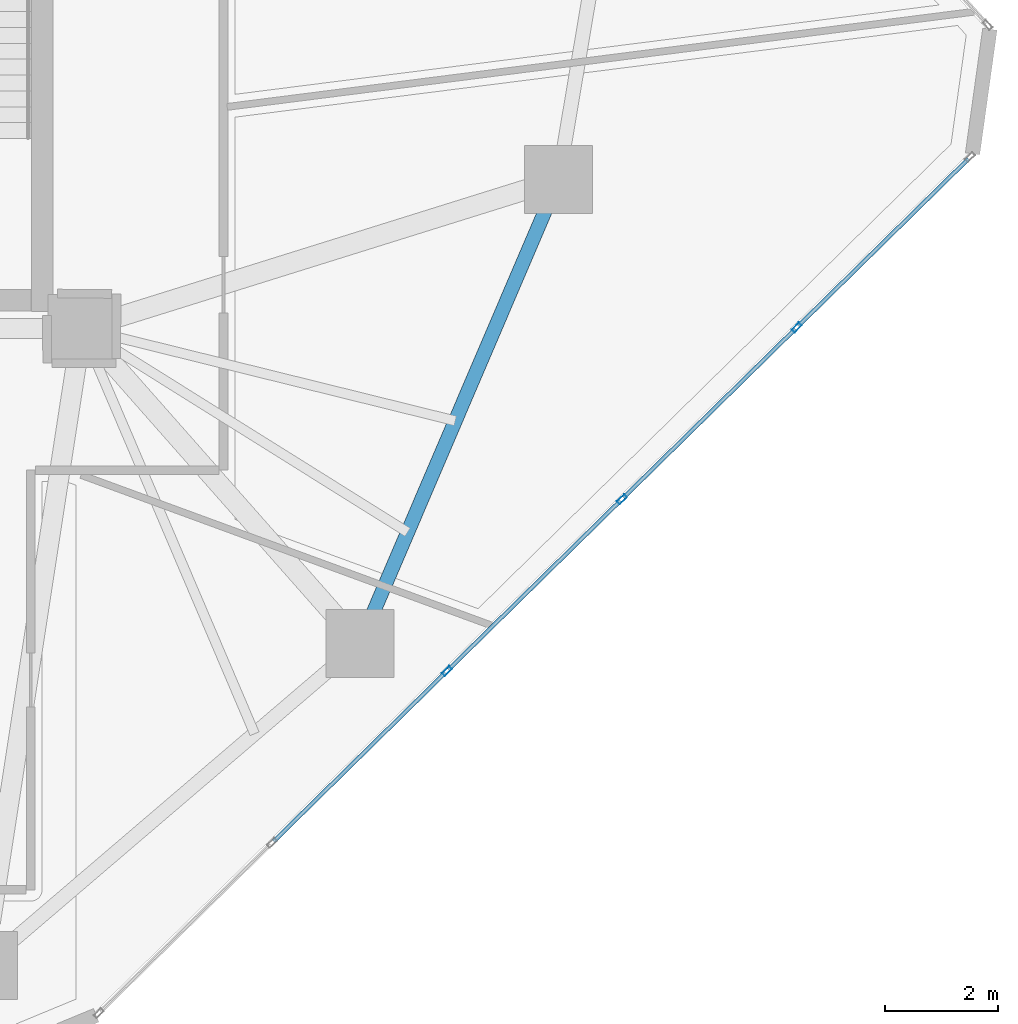
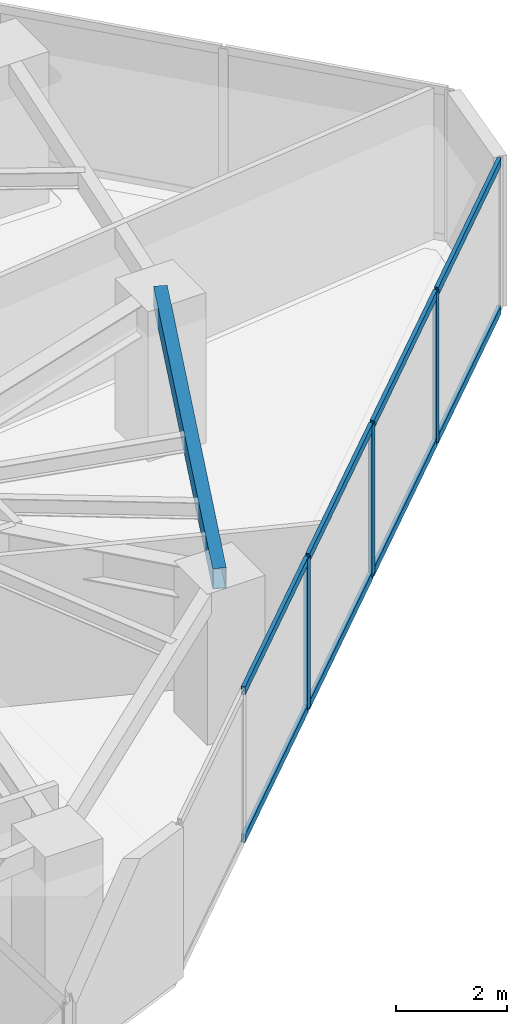
# One storey, part 13 of 21: 11 members, 1 beam, 1 element without a shape of its own.
"""IFC4 building model written with IfcOpenShell, lengths in metres."""

from ifc_helpers import new_model, si_unit, direction, frame, origin, origin_2d, place, context, subcontext, project, spatial, hollow_rectangle, extrude, source, transform, mapped, material, layer, layer_set, material_profile, profile_set, type_object, type_shapes, element, aggregate, save


model = new_model("IFC4")

# Units and contexts
model_context = context("Model", 3, precision=1e-05, world=origin(), true_north=direction((0.0, 1.0)))
body_context = subcontext(model_context, "Body", "Model", "MODEL_VIEW")
ifc_project = project(units=[si_unit("LENGTHUNIT", "METRE"), si_unit("AREAUNIT", "SQUARE_METRE"), si_unit("VOLUMEUNIT", "CUBIC_METRE"), si_unit("PLANEANGLEUNIT", "RADIAN"), si_unit("MASSUNIT", "GRAM", prefix="KILO")], contexts=[model_context])

# Site, building, storey
site_placement = place(None, origin())
site = spatial("IfcSite", under=ifc_project, at=site_placement, CompositionType="ELEMENT")
building_placement = place(site_placement, origin())
building = spatial("IfcBuilding", under=site, at=building_placement, Name="Talar Marvaseh", CompositionType="ELEMENT")
storey_placement = place(building_placement, frame((0.0, 0.0, 93.0)))
storey = spatial("IfcBuildingStorey", under=building, at=storey_placement, Name="L23", CompositionType="ELEMENT", Elevation=93.0)

# Beam
ifc_material_1 = material(Name="Steel S355", Category="steel")
ifc_material_profile_1 = material_profile(ifc_material_1, hollow_rectangle(XDim=0.25, YDim=0.449951171875, WallThickness=0.01611328125, at=origin_2d()), Name="RHS450x250x16")
ifc_profile_set_1 = profile_set([ifc_material_profile_1], Name="Steel S355")
beam_type = type_object("IfcBeamType", Name="Zone 2 Perimeter Spandrel Beam RHS450x250x16", PredefinedType="SPANDREL", material=ifc_profile_set_1)
beam_placement = place(storey_placement, frame((41.708984375, 28.1279296875, 3.0849609375), z_axis=(-0.393369955619, -0.919380268451, 0.0), x_axis=(0.919380268451, -0.393369955619, 0.0)))
element("IfcBeam", 1, at=beam_placement, inside=storey, type_object=beam_type, Name="L23 Zone 2 Perimeter Spandrel Beam RHS450x250x16", PredefinedType="SPANDREL", context=body_context, shape_type="SweptSolid", body=[
    extrude(hollow_rectangle(XDim=0.25, YDim=0.449951171875, WallThickness=0.01611328125, at=origin_2d()), origin(), (0.0, 0.0, 1.0), 8.905029296875),
])

# Curtain wall, members
ifc_material_2 = material(Name="Architectural Aluminium", Category="aluminium")
ifc_layer = layer(ifc_material_2, 0.199951171875)
ifc_layer_set = layer_set([ifc_layer], Name="Architectural Aluminium")
curtain_wall_type = type_object("IfcCurtainWallType", Name="Unitised Acoustic Library Curtain Wall Z2", PredefinedType="NOTDEFINED", material=ifc_layer_set)
curtain_wall_placement = place(storey_placement, origin())
curtain_wall = element("IfcCurtainWall", 2, at=curtain_wall_placement, inside=storey, type_object=curtain_wall_type, Name="L23 Unitised Acoustic Library Curtain Wall Z2", PredefinedType="NOTDEFINED")
ifc_material_profile_2 = material_profile(ifc_material_2, hollow_rectangle(XDim=0.074951171875, YDim=0.179931640625, WallThickness=0.0048828125, at=origin_2d()), Name="RHS180x75x5")
ifc_profile_set_2 = profile_set([ifc_material_profile_2], Name="Architectural Aluminium")
member_type_1 = type_object("IfcMemberType", Name="Unitised Curtain Wall Standard Mullion RHS180x75x5", PredefinedType="MULLION", material=ifc_profile_set_2)
shared_shape_1 = source(origin(), body_context, "Body", "SweptSolid", [
    extrude(hollow_rectangle(XDim=0.074951171875, YDim=0.179931640625, WallThickness=0.0048828125, at=origin_2d()), origin(), (0.0, 0.0, 1.0), 3.31005859375),
])
type_shapes(member_type_1, [shared_shape_1])
member_1_placement = place(storey_placement, frame((45.909912109375, 25.51806640625, 0.0), z_axis=(0.0, 0.0, 1.0), x_axis=(0.700796979423, -0.713360773825, 0.0)))
member_1 = element("IfcMember", 3, at=member_1_placement, type_object=member_type_1, Name="CW-Z2 mullion 2", PredefinedType="MULLION", context=body_context, shape_type="MappedRepresentation", body=[
    mapped(shared_shape_1, transform((0.0, 0.0, 0.0), x_axis=(1.0, 0.0, 0.0), y_axis=(0.0, 1.0, 0.0), z_axis=(0.0, 0.0, 1.0), scale=1.0)),
])
member_2_placement = place(storey_placement, frame((42.82568359375, 22.48828125, 0.0), z_axis=(0.0, 0.0, 1.0), x_axis=(0.700796979423, -0.713360773825, 0.0)))
member_2 = element("IfcMember", 4, at=member_2_placement, type_object=member_type_1, Name="CW-Z2 mullion 3", PredefinedType="MULLION", context=body_context, shape_type="MappedRepresentation", body=[
    mapped(shared_shape_1, transform((0.0, 0.0, 0.0), x_axis=(1.0, 0.0, 0.0), y_axis=(0.0, 1.0, 0.0), z_axis=(0.0, 0.0, 1.0), scale=1.0)),
])
member_3_placement = place(storey_placement, frame((39.741455078125, 19.458251953125, 0.0), z_axis=(0.0, 0.0, 1.0), x_axis=(0.700796979423, -0.713360773825, 0.0)))
member_3 = element("IfcMember", 5, at=member_3_placement, type_object=member_type_1, Name="CW-Z2 mullion 4", PredefinedType="MULLION", context=body_context, shape_type="MappedRepresentation", body=[
    mapped(shared_shape_1, transform((0.0, 0.0, 0.0), x_axis=(1.0, 0.0, 0.0), y_axis=(0.0, 1.0, 0.0), z_axis=(0.0, 0.0, 1.0), scale=1.0)),
])
ifc_material_profile_3 = material_profile(ifc_material_2, hollow_rectangle(XDim=0.074951171875, YDim=0.179931640625, WallThickness=0.0048828125, at=origin_2d()), Name="RHS180x75x5")
ifc_profile_set_3 = profile_set([ifc_material_profile_3], Name="Architectural Aluminium")
member_type_2 = type_object("IfcMemberType", Name="Unitised Curtain Wall Transom RHS180x75x5", PredefinedType="USERDEFINED", material=ifc_profile_set_3)
shared_shape_2 = source(origin(), body_context, "Body", "SweptSolid", [
    extrude(hollow_rectangle(XDim=0.074951171875, YDim=0.179931640625, WallThickness=0.0048828125, at=origin_2d()), origin(), (0.0, 0.0, 1.0), 4.24853515625),
])
member_4_placement = place(storey_placement, frame((45.883056640625, 25.49169921875, 0.03759765625), z_axis=(-0.713371206671, -0.70078635938, 0.0), x_axis=(0.70078635938, -0.713371206671, 0.0)))
member_4 = element("IfcMember", 6, at=member_4_placement, type_object=member_type_2, Name="CW-Z2 transom 2.1", ObjectType="TRANSOM", PredefinedType="USERDEFINED", context=body_context, shape_type="MappedRepresentation", body=[
    mapped(shared_shape_2, transform((0.0, 0.0, 0.0), x_axis=(1.0, 0.0, 0.0), y_axis=(0.0, 1.0, 0.0), z_axis=(0.0, 0.0, 1.0), scale=1.0)),
])
member_5_placement = place(storey_placement, frame((45.883056640625, 25.49169921875, 3.2724609375), z_axis=(-0.713371206671, -0.70078635938, 0.0), x_axis=(0.70078635938, -0.713371206671, 0.0)))
member_5 = element("IfcMember", 7, at=member_5_placement, type_object=member_type_2, Name="CW-Z2 transom 2.2", ObjectType="TRANSOM", PredefinedType="USERDEFINED", context=body_context, shape_type="MappedRepresentation", body=[
    mapped(shared_shape_2, transform((0.0, 0.0, 0.0), x_axis=(1.0, 0.0, 0.0), y_axis=(0.0, 1.0, 0.0), z_axis=(0.0, 0.0, 1.0), scale=1.0)),
])
member_6_placement = place(storey_placement, frame((42.798828125, 22.4619140625, 0.03759765625), z_axis=(-0.713371206671, -0.70078635938, 0.0), x_axis=(0.70078635938, -0.713371206671, 0.0)))
member_6 = element("IfcMember", 8, at=member_6_placement, type_object=member_type_2, Name="CW-Z2 transom 3.1", ObjectType="TRANSOM", PredefinedType="USERDEFINED", context=body_context, shape_type="MappedRepresentation", body=[
    mapped(shared_shape_2, transform((0.0, 0.0, 0.0), x_axis=(1.0, 0.0, 0.0), y_axis=(0.0, 1.0, 0.0), z_axis=(0.0, 0.0, 1.0), scale=1.0)),
])
member_7_placement = place(storey_placement, frame((42.798828125, 22.4619140625, 3.2724609375), z_axis=(-0.713371206671, -0.70078635938, 0.0), x_axis=(0.70078635938, -0.713371206671, 0.0)))
member_7 = element("IfcMember", 9, at=member_7_placement, type_object=member_type_2, Name="CW-Z2 transom 3.2", ObjectType="TRANSOM", PredefinedType="USERDEFINED", context=body_context, shape_type="MappedRepresentation", body=[
    mapped(shared_shape_2, transform((0.0, 0.0, 0.0), x_axis=(1.0, 0.0, 0.0), y_axis=(0.0, 1.0, 0.0), z_axis=(0.0, 0.0, 1.0), scale=1.0)),
])
member_8_placement = place(storey_placement, frame((39.714599609375, 19.431884765625, 0.03759765625), z_axis=(-0.713371206671, -0.70078635938, 0.0), x_axis=(0.70078635938, -0.713371206671, 0.0)))
member_8 = element("IfcMember", 10, at=member_8_placement, type_object=member_type_2, Name="CW-Z2 transom 4.1", ObjectType="TRANSOM", PredefinedType="USERDEFINED", context=body_context, shape_type="MappedRepresentation", body=[
    mapped(shared_shape_2, transform((0.0, 0.0, 0.0), x_axis=(1.0, 0.0, 0.0), y_axis=(0.0, 1.0, 0.0), z_axis=(0.0, 0.0, 1.0), scale=1.0)),
])
member_9_placement = place(storey_placement, frame((39.714599609375, 19.431884765625, 3.2724609375), z_axis=(-0.713371206671, -0.70078635938, 0.0), x_axis=(0.70078635938, -0.713371206671, 0.0)))
member_9 = element("IfcMember", 11, at=member_9_placement, type_object=member_type_2, Name="CW-Z2 transom 4.2", ObjectType="TRANSOM", PredefinedType="USERDEFINED", context=body_context, shape_type="MappedRepresentation", body=[
    mapped(shared_shape_2, transform((0.0, 0.0, 0.0), x_axis=(1.0, 0.0, 0.0), y_axis=(0.0, 1.0, 0.0), z_axis=(0.0, 0.0, 1.0), scale=1.0)),
])
shared_shape_3 = source(origin(), body_context, "Body", "SweptSolid", [
    extrude(hollow_rectangle(XDim=0.074951171875, YDim=0.179931640625, WallThickness=0.0048828125, at=origin_2d()), origin(), (0.0, 0.0, 1.0), 4.2109375),
])
type_shapes(member_type_2, [shared_shape_2, shared_shape_3])
member_10_placement = place(storey_placement, frame((48.940673828125, 28.495361328125, 0.03759765625), z_axis=(-0.713397955341, -0.700759129313, 0.0), x_axis=(0.700759129313, -0.713397955341, 0.0)))
member_10 = element("IfcMember", 12, at=member_10_placement, type_object=member_type_2, Name="CW-Z2 transom 1.1", ObjectType="TRANSOM", PredefinedType="USERDEFINED", context=body_context, shape_type="MappedRepresentation", body=[
    mapped(shared_shape_3, transform((0.0, 0.0, 0.0), x_axis=(1.0, 0.0, 0.0), y_axis=(0.0, 1.0, 0.0), z_axis=(0.0, 0.0, 1.0), scale=1.0)),
])
member_11_placement = place(storey_placement, frame((48.940673828125, 28.495361328125, 3.2724609375), z_axis=(-0.713397955341, -0.700759129313, 0.0), x_axis=(0.700759129313, -0.713397955341, 0.0)))
member_11 = element("IfcMember", 13, at=member_11_placement, type_object=member_type_2, Name="CW-Z2 transom 1.2", ObjectType="TRANSOM", PredefinedType="USERDEFINED", context=body_context, shape_type="MappedRepresentation", body=[
    mapped(shared_shape_3, transform((0.0, 0.0, 0.0), x_axis=(1.0, 0.0, 0.0), y_axis=(0.0, 1.0, 0.0), z_axis=(0.0, 0.0, 1.0), scale=1.0)),
])
aggregate(curtain_wall, [member_1, member_2, member_3, member_10, member_11, member_4, member_5, member_6, member_7, member_8, member_9])

save(model, "model.ifc")
